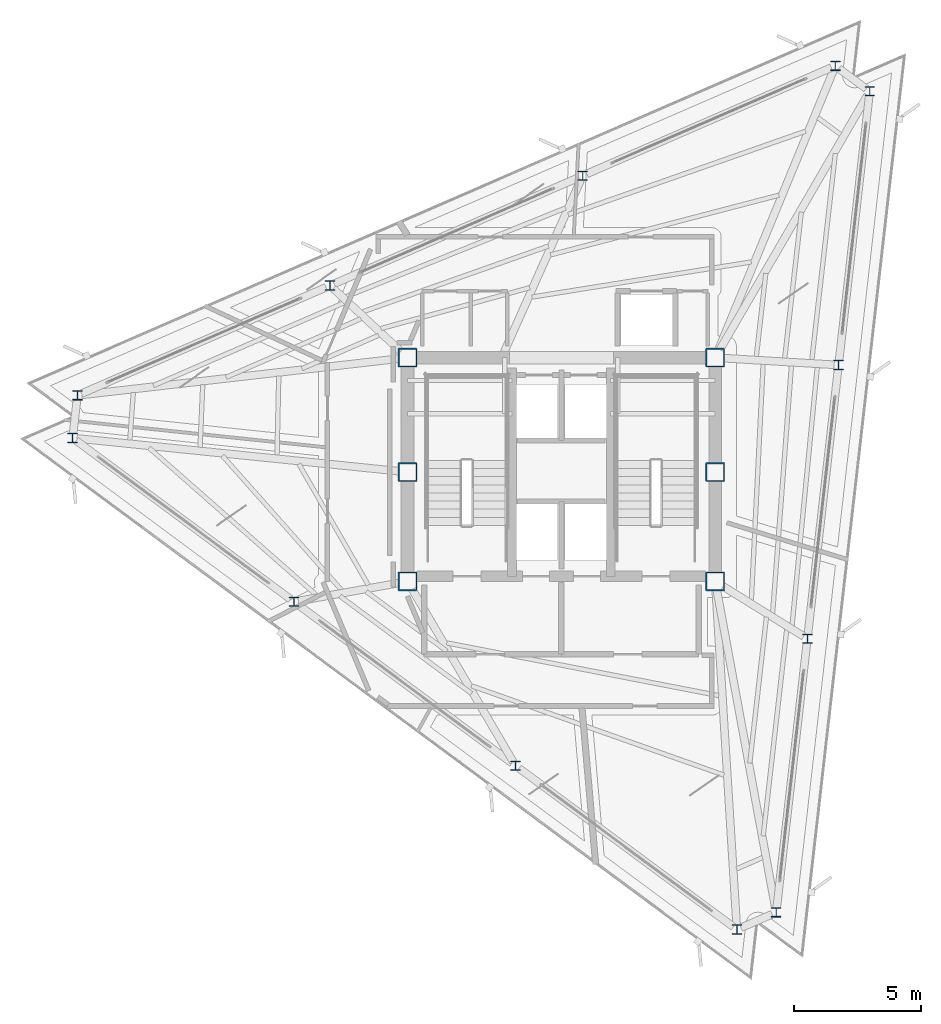
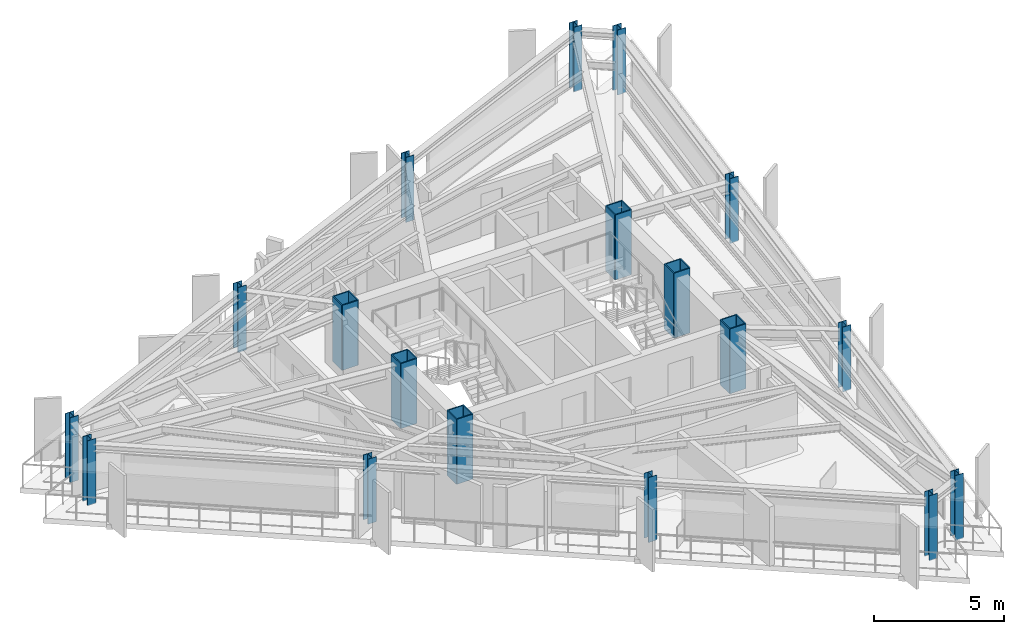
# One storey, part 1 of 10: 18 columns.
"""IFC4 building model written with IfcOpenShell, lengths in metres."""

from ifc_helpers import new_model, si_unit, direction, frame, origin, origin_2d, place, context, subcontext, project, spatial, hollow_rectangle, i_section, extrude, material, material_profile, profile_set, type_object, element, save


model = new_model("IFC4")

# Units and contexts
model_context = context("Model", 3, precision=1e-05, world=origin(), true_north=direction((0.0, 1.0)))
body_context = subcontext(model_context, "Body", "Model", "MODEL_VIEW")
ifc_project = project(units=[si_unit("LENGTHUNIT", "METRE"), si_unit("AREAUNIT", "SQUARE_METRE"), si_unit("VOLUMEUNIT", "CUBIC_METRE"), si_unit("PLANEANGLEUNIT", "RADIAN"), si_unit("MASSUNIT", "GRAM", prefix="KILO")], contexts=[model_context])

# Site, building, storey
site_placement = place(None, origin())
site = spatial("IfcSite", under=ifc_project, at=site_placement, CompositionType="ELEMENT")
building_placement = place(site_placement, origin())
building = spatial("IfcBuilding", under=site, at=building_placement, Name="Rocaltana Carrier Exchange", CompositionType="ELEMENT")
storey_placement = place(building_placement, frame((0.0, 0.0, 227.0400390625)))
storey = spatial("IfcBuildingStorey", under=building, at=storey_placement, Name="L72", CompositionType="ELEMENT", Elevation=227.0400390625)

# Columns
ifc_material_1 = material(Name="Steel S460", Category="steel")
ifc_material_profile_1 = material_profile(ifc_material_1, hollow_rectangle(XDim=0.75, YDim=0.75, WallThickness=0.050048828125, InnerFilletRadius=0.02001953125, OuterFilletRadius=0.0400390625, at=origin_2d()), Name="BOX750X750X50")
ifc_profile_set_1 = profile_set([ifc_material_profile_1], Name="Steel S460")
column_type_1 = type_object("IfcColumnType", Name="Core Mega-Column BOX750", PredefinedType="COLUMN", material=ifc_profile_set_1)
for number, where, z_axis, x_axis, name in (
    (1, (-6.050048828125, 4.5, 0.0), (0.0, 0.0, 1.0), (1.0, 0.0, 0.0), "L72 Core Mega-Column MC1"),
    (2, (6.050048828125, 4.5, 0.0), (0.0, 0.0, 1.0), (1.0, 0.0, 0.0), "L72 Core Mega-Column MC2"),
    (3, (-6.050048828125, 0.0, 0.0), (0.0, 0.0, 1.0), (1.0, 0.0, 0.0), "L72 Core Mega-Column MC3"),
    (4, (6.050048828125, 0.0, 0.0), (0.0, 0.0, 1.0), (1.0, 0.0, 0.0), "L72 Core Mega-Column MC4"),
    (5, (-6.050048828125, -4.300048828125, 0.0), (0.0, 0.0, 1.0), (1.0, 0.0, 0.0), "L72 Core Mega-Column MC5"),
    (6, (6.050048828125, -4.300048828125, 0.0), (0.0, 0.0, 1.0), (1.0, 0.0, 0.0), "L72 Core Mega-Column MC6"),
):
    element("IfcColumn", number, at=place(storey_placement, frame(where, z_axis=z_axis, x_axis=x_axis)), inside=storey, type_object=column_type_1, Name=name, PredefinedType="COLUMN", context=body_context, shape_type="SweptSolid", body=[
        extrude(hollow_rectangle(XDim=0.75, YDim=0.75, WallThickness=0.050048828125, InnerFilletRadius=0.02001953125, OuterFilletRadius=0.0400390625, at=origin_2d()), origin(), (0.0, 0.0, 1.0), 3.0400390625),
    ])
ifc_material_2 = material(Name="Steel S355", Category="steel")
ifc_material_profile_2 = material_profile(ifc_material_2, i_section(OverallWidth=0.37109375, OverallDepth=0.364013671875, WebThickness=0.01318359375, FlangeThickness=0.021728515625, FilletRadius=0.014892578125, at=origin_2d()), Name="W14X109")
ifc_profile_set_2 = profile_set([ifc_material_profile_2], Name="Steel S355")
column_type_2 = type_object("IfcColumnType", Name="Crown Column W14X109", PredefinedType="COLUMN", material=ifc_profile_set_2)
for number, where, z_axis, x_axis, name in (
    (7, (8.448486328125, -17.317626953125, 0.0), (0.0, 0.0, 1.0), (1.0, 0.0, 0.0), "L72 Perimeter Column TC01"),
    (8, (9.675048828125, -6.553955078125, 0.0), (0.0, 0.0, 1.0), (1.0, 0.0, 0.0), "L72 Perimeter Column TC02"),
    (9, (10.9013671875, 4.209716796875, 0.0), (0.0, 0.0, 1.0), (1.0, 0.0, 0.0), "L72 Perimeter Column TC03"),
    (10, (12.127685546875, 14.973388671875, 0.0), (0.0, 0.0, 1.0), (1.0, 0.0, 0.0), "L72 Perimeter Column TC04"),
    (11, (10.773193359375, 15.9755859375, 0.0), (0.0, 0.0, 1.0), (1.0, 0.0, 0.0), "L72 Perimeter Column TC05"),
    (12, (0.83837890625, 11.65576171875, 0.0), (0.0, 0.0, 1.0), (1.0, 0.0, 0.0), "L72 Perimeter Column TC06"),
    (13, (-9.096435546875, 7.3359375, 0.0), (0.0, 0.0, 1.0), (1.0, 0.0, 0.0), "L72 Perimeter Column TC07"),
    (14, (-19.03125, 3.01611328125, 0.0), (0.0, 0.0, 1.0), (1.0, 0.0, 0.0), "L72 Perimeter Column TC08"),
    (15, (-19.221923828125, 1.342041015625, 0.0), (0.0, 0.0, 1.0), (1.0, 0.0, 0.0), "L72 Perimeter Column TC09"),
    (16, (-10.513427734375, -5.101806640625, 0.0), (0.0, 0.0, 1.0), (1.0, 0.0, 0.0), "L72 Perimeter Column TC10"),
    (17, (-1.804931640625, -11.545654296875, 0.0), (0.0, 0.0, 1.0), (1.0, 0.0, 0.0), "L72 Perimeter Column TC11"),
    (18, (6.9033203125, -17.989501953125, 0.0), (0.0, 0.0, 1.0), (1.0, 0.0, 0.0), "L72 Perimeter Column TC12"),
):
    element("IfcColumn", number, at=place(storey_placement, frame(where, z_axis=z_axis, x_axis=x_axis)), inside=storey, type_object=column_type_2, Name=name, PredefinedType="COLUMN", context=body_context, shape_type="SweptSolid", body=[
        extrude(i_section(OverallWidth=0.37109375, OverallDepth=0.364013671875, WebThickness=0.01318359375, FlangeThickness=0.021728515625, FilletRadius=0.014892578125, at=origin_2d()), origin(), (0.0, 0.0, 1.0), 3.0400390625),
    ])

save(model, "model.ifc")
